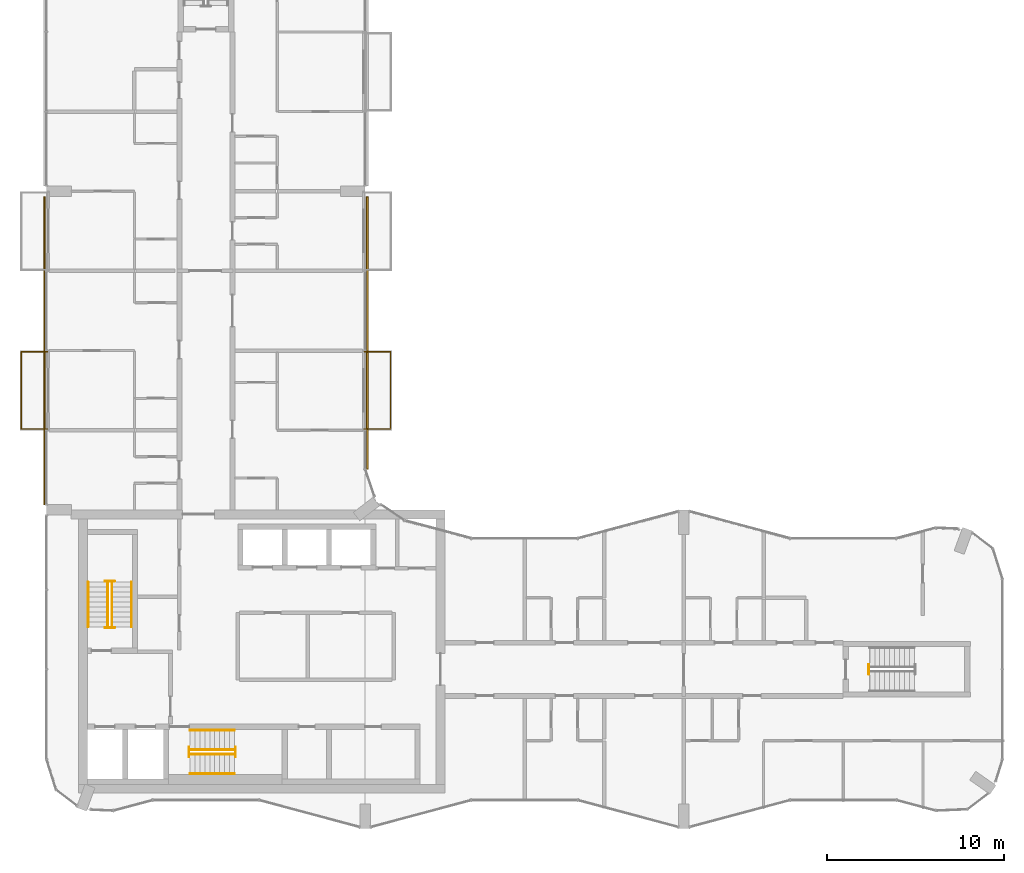
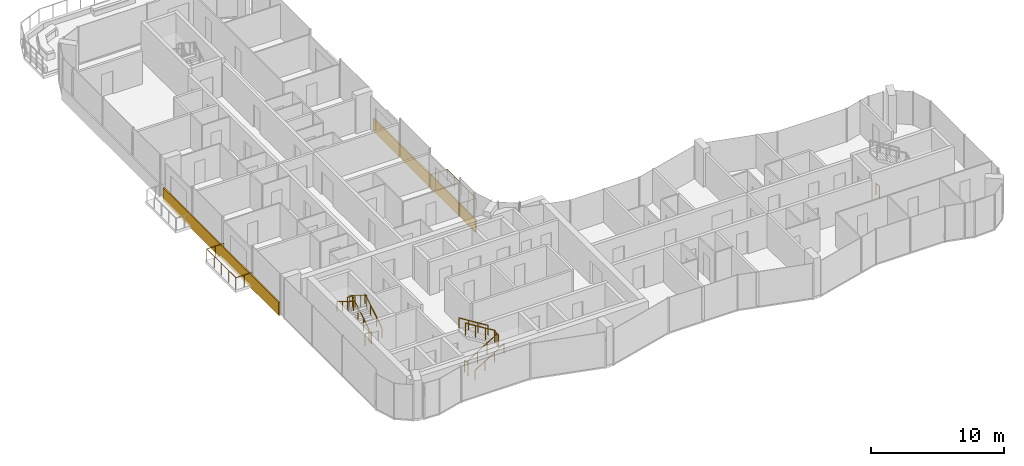
# One storey, part 15 of 17: 15 railings, 2 coverings.
"""IFC4 building model written with IfcOpenShell, lengths in metres."""

from ifc_helpers import new_model, si_unit, direction, frame, origin, origin_2d, place, context, subcontext, project, spatial, rectangle, circle, extrude, material, layer, layer_set, type_object, element, save


model = new_model("IFC4")

# Units and contexts
model_context = context("Model", 3, precision=1e-05, world=origin(), true_north=direction((0.0, 1.0)))
body_context = subcontext(model_context, "Body", "Model", "MODEL_VIEW")
ifc_project = project(units=[si_unit("LENGTHUNIT", "METRE"), si_unit("AREAUNIT", "SQUARE_METRE"), si_unit("VOLUMEUNIT", "CUBIC_METRE"), si_unit("PLANEANGLEUNIT", "RADIAN"), si_unit("MASSUNIT", "GRAM", prefix="KILO")], contexts=[model_context])

# Site, building, storey
site_placement = place(None, origin())
site = spatial("IfcSite", under=ifc_project, at=site_placement, CompositionType="ELEMENT")
building_placement = place(site_placement, origin())
building = spatial("IfcBuilding", under=site, at=building_placement, Name="Plateau Cross Towers", CompositionType="ELEMENT")
storey_placement = place(building_placement, frame((0.0, 0.0, 225.89990234375)))
storey = spatial("IfcBuildingStorey", under=building, at=storey_placement, Name="L59", CompositionType="ELEMENT", Elevation=225.89990234375)

# Railings
ifc_material_1 = material(Name="Stainless steel and toughened glass", Category="steel")
railing_type_1 = type_object("IfcRailingType", Name="Glass balustrade guard 1100", PredefinedType="GUARDRAIL", material=ifc_material_1)
railing_1_placement = place(storey_placement, frame((0.050048828125, 22.570068359375, 0.0)))
element("IfcRailing", 1, at=railing_1_placement, inside=storey, type_object=railing_type_1, Name="Guard guard1", PredefinedType="GUARDRAIL", context=body_context, shape_type="SweptSolid", body=[
    extrude(circle(Radius=0.02392578125, at=origin_2d()), frame((0.0, 0.0, 1.076171875), z_axis=(-1.0, 0.0, 0.0), x_axis=(0.0, -1.0, 0.0)), (0.0, 0.0, 1.0), 1.47998046875),
    extrude(circle(Radius=0.02392578125, at=origin_2d()), frame((-1.47998046875, 0.0, 1.076171875), z_axis=(0.0, 1.0, 0.0), x_axis=(-1.0, 0.0, 0.0)), (0.0, 0.0, 1.0), 4.35986328125),
    extrude(circle(Radius=0.02392578125, at=origin_2d()), frame((-1.47998046875, 4.35986328125, 1.076171875), z_axis=(1.0, 0.0, 0.0), x_axis=(0.0, 1.0, 0.0)), (0.0, 0.0, 1.0), 1.47998046875),
    extrude(circle(Radius=0.02099609375, at=origin_2d()), origin(), (0.0, 0.0, 1.0), 1.052001953125),
    extrude(circle(Radius=0.02099609375, at=origin_2d()), frame((-0.739990234375, 0.0, 0.0)), (0.0, 0.0, 1.0), 1.052001953125),
    extrude(circle(Radius=0.02099609375, at=origin_2d()), frame((-1.47998046875, 0.0, 0.0)), (0.0, 0.0, 1.0), 1.052001953125),
    extrude(circle(Radius=0.02099609375, at=origin_2d()), frame((-1.47998046875, 1.08984375, 0.0)), (0.0, 0.0, 1.0), 1.052001953125),
    extrude(circle(Radius=0.02099609375, at=origin_2d()), frame((-1.47998046875, 2.179931640625, 0.0)), (0.0, 0.0, 1.0), 1.052001953125),
    extrude(circle(Radius=0.02099609375, at=origin_2d()), frame((-1.47998046875, 3.27001953125, 0.0)), (0.0, 0.0, 1.0), 1.052001953125),
    extrude(circle(Radius=0.02099609375, at=origin_2d()), frame((-1.47998046875, 4.35986328125, 0.0)), (0.0, 0.0, 1.0), 1.052001953125),
    extrude(circle(Radius=0.02099609375, at=origin_2d()), frame((-0.739990234375, 4.35986328125, 0.0)), (0.0, 0.0, 1.0), 1.052001953125),
    extrude(circle(Radius=0.02099609375, at=origin_2d()), frame((0.0, 4.35986328125, 0.0)), (0.0, 0.0, 1.0), 1.052001953125),
])
railing_2_placement = place(storey_placement, frame((17.949951171875, 26.929931640625, 0.0)))
element("IfcRailing", 2, at=railing_2_placement, inside=storey, type_object=railing_type_1, Name="Guard guard1", PredefinedType="GUARDRAIL", context=body_context, shape_type="SweptSolid", body=[
    extrude(circle(Radius=0.02392578125, at=origin_2d()), frame((0.0, 0.0, 1.076171875), z_axis=(1.0, 0.0, 0.0), x_axis=(0.0, 1.0, 0.0)), (0.0, 0.0, 1.0), 1.47998046875),
    extrude(circle(Radius=0.02392578125, at=origin_2d()), frame((1.47998046875, 0.0, 1.076171875), z_axis=(0.0, -1.0, 0.0), x_axis=(1.0, 0.0, 0.0)), (0.0, 0.0, 1.0), 4.35986328125),
    extrude(circle(Radius=0.02392578125, at=origin_2d()), frame((1.47998046875, -4.35986328125, 1.076171875), z_axis=(-1.0, 0.0, 0.0), x_axis=(0.0, -1.0, 0.0)), (0.0, 0.0, 1.0), 1.47998046875),
    extrude(circle(Radius=0.02099609375, at=origin_2d()), origin(), (0.0, 0.0, 1.0), 1.052001953125),
    extrude(circle(Radius=0.02099609375, at=origin_2d()), frame((0.739990234375, 0.0, 0.0)), (0.0, 0.0, 1.0), 1.052001953125),
    extrude(circle(Radius=0.02099609375, at=origin_2d()), frame((1.47998046875, 0.0, 0.0)), (0.0, 0.0, 1.0), 1.052001953125),
    extrude(circle(Radius=0.02099609375, at=origin_2d()), frame((1.47998046875, -1.08984375, 0.0)), (0.0, 0.0, 1.0), 1.052001953125),
    extrude(circle(Radius=0.02099609375, at=origin_2d()), frame((1.47998046875, -2.179931640625, 0.0)), (0.0, 0.0, 1.0), 1.052001953125),
    extrude(circle(Radius=0.02099609375, at=origin_2d()), frame((1.47998046875, -3.27001953125, 0.0)), (0.0, 0.0, 1.0), 1.052001953125),
    extrude(circle(Radius=0.02099609375, at=origin_2d()), frame((1.47998046875, -4.35986328125, 0.0)), (0.0, 0.0, 1.0), 1.052001953125),
    extrude(circle(Radius=0.02099609375, at=origin_2d()), frame((0.739990234375, -4.35986328125, 0.0)), (0.0, 0.0, 1.0), 1.052001953125),
    extrude(circle(Radius=0.02099609375, at=origin_2d()), frame((0.0, -4.35986328125, 0.0)), (0.0, 0.0, 1.0), 1.052001953125),
])
railing_type_2 = type_object("IfcRailingType", Name="RL-GUARD-1100", PredefinedType="GUARDRAIL", material=ifc_material_1)
railing_3_placement = place(storey_placement, frame((3.699951171875, 11.39990234375, 0.175048828125)))
element("IfcRailing", 3, at=railing_3_placement, inside=storey, type_object=railing_type_2, Name="L59 ST-1 stair guard 1", PredefinedType="GUARDRAIL", context=body_context, shape_type="SweptSolid", body=[
    extrude(circle(Radius=0.02392578125, at=origin_2d()), frame((0.0, 0.0, 1.076171875), z_axis=(0.0, 0.848007534815, 0.529984170421), x_axis=(-1.0, 0.0, 0.0)), (0.0, 0.0, 1.0), 2.9716796875),
    extrude(circle(Radius=0.02099609375, at=origin_2d()), origin(), (0.0, 0.0, 1.0), 1.052001953125),
    extrude(circle(Radius=0.02099609375, at=origin_2d()), frame((0.0, 0.840087890625, 0.52490234375)), (0.0, 0.0, 1.0), 1.052001953125),
    extrude(circle(Radius=0.02099609375, at=origin_2d()), frame((0.0, 1.679931640625, 1.050048828125)), (0.0, 0.0, 1.0), 1.052001953125),
    extrude(circle(Radius=0.02099609375, at=origin_2d()), frame((0.0, 2.52001953125, 1.574951171875)), (0.0, 0.0, 1.0), 1.052001953125),
])
railing_4_placement = place(storey_placement, frame((3.85009765625, 13.969970703125, 1.75)))
element("IfcRailing", 4, at=railing_4_placement, inside=storey, type_object=railing_type_2, Name="L59 ST-1 stair guard 2", PredefinedType="GUARDRAIL", context=body_context, shape_type="SweptSolid", body=[
    extrude(circle(Radius=0.02392578125, at=origin_2d()), frame((0.0, 0.0, 1.076171875), z_axis=(-1.0, 0.0, 0.0), x_axis=(0.0, -1.0, 0.0)), (0.0, 0.0, 1.0), 0.550048828125),
    extrude(circle(Radius=0.02099609375, at=origin_2d()), origin(), (0.0, 0.0, 1.0), 1.052001953125),
    extrude(circle(Radius=0.02099609375, at=origin_2d()), frame((-0.550048828125, 0.0, 0.0)), (0.0, 0.0, 1.0), 1.052001953125),
])
railing_5_placement = place(storey_placement, frame((3.449951171875, 13.919921875, 1.925048828125)))
element("IfcRailing", 5, at=railing_5_placement, inside=storey, type_object=railing_type_2, Name="L59 ST-1 stair guard 3", PredefinedType="GUARDRAIL", context=body_context, shape_type="SweptSolid", body=[
    extrude(circle(Radius=0.02392578125, at=origin_2d()), frame((0.0, 0.0, 1.076171875), z_axis=(0.0, -0.852616386126, 0.522537365276), x_axis=(1.0, 0.0, 0.0)), (0.0, 0.0, 1.0), 3.01416015625),
    extrude(circle(Radius=0.02099609375, at=origin_2d()), origin(), (0.0, 0.0, 1.0), 1.052001953125),
    extrude(circle(Radius=0.02099609375, at=origin_2d()), frame((0.0, -0.856689453125, 0.52490234375)), (0.0, 0.0, 1.0), 1.052001953125),
    extrude(circle(Radius=0.02099609375, at=origin_2d()), frame((0.0, -1.713134765625, 1.050048828125)), (0.0, 0.0, 1.0), 1.052001953125),
    extrude(circle(Radius=0.02099609375, at=origin_2d()), frame((0.0, -2.56982421875, 1.574951171875)), (0.0, 0.0, 1.0), 1.052001953125),
])
railing_6_placement = place(storey_placement, frame((3.85009765625, 11.35009765625, 0.0)))
element("IfcRailing", 6, at=railing_6_placement, inside=storey, type_object=railing_type_2, Name="L59 ST-1 stair guard 4", PredefinedType="GUARDRAIL", context=body_context, shape_type="SweptSolid", body=[
    extrude(circle(Radius=0.02392578125, at=origin_2d()), frame((0.0, 0.0, 1.076171875), z_axis=(-1.0, 0.0, 0.0), x_axis=(0.0, -1.0, 0.0)), (0.0, 0.0, 1.0), 0.550048828125),
    extrude(circle(Radius=0.02099609375, at=origin_2d()), origin(), (0.0, 0.0, 1.0), 1.052001953125),
    extrude(circle(Radius=0.02099609375, at=origin_2d()), frame((-0.550048828125, 0.0, 0.0)), (0.0, 0.0, 1.0), 1.052001953125),
])
railing_7_placement = place(storey_placement, frame((8.10009765625, 4.199951171875, 0.175048828125)))
element("IfcRailing", 7, at=railing_7_placement, inside=storey, type_object=railing_type_2, Name="L59 ST-2 stair guard 1", PredefinedType="GUARDRAIL", context=body_context, shape_type="SweptSolid", body=[
    extrude(circle(Radius=0.02392578125, at=origin_2d()), frame((0.0, 0.0, 1.076171875), z_axis=(0.848007534815, 0.0, 0.529984170421), x_axis=(0.0, 1.0, 0.0)), (0.0, 0.0, 1.0), 2.9716796875),
    extrude(circle(Radius=0.02099609375, at=origin_2d()), origin(), (0.0, 0.0, 1.0), 1.052001953125),
    extrude(circle(Radius=0.02099609375, at=origin_2d()), frame((0.840087890625, 0.0, 0.52490234375)), (0.0, 0.0, 1.0), 1.052001953125),
    extrude(circle(Radius=0.02099609375, at=origin_2d()), frame((1.679931640625, 0.0, 1.050048828125)), (0.0, 0.0, 1.0), 1.052001953125),
    extrude(circle(Radius=0.02099609375, at=origin_2d()), frame((2.52001953125, 0.0, 1.574951171875)), (0.0, 0.0, 1.0), 1.052001953125),
])
railing_8_placement = place(storey_placement, frame((10.669921875, 4.050048828125, 1.75)))
element("IfcRailing", 8, at=railing_8_placement, inside=storey, type_object=railing_type_2, Name="L59 ST-2 stair guard 2", PredefinedType="GUARDRAIL", context=body_context, shape_type="SweptSolid", body=[
    extrude(circle(Radius=0.02392578125, at=origin_2d()), frame((0.0, 0.0, 1.076171875), z_axis=(0.0, 1.0, 0.0), x_axis=(-1.0, 0.0, 0.0)), (0.0, 0.0, 1.0), 0.550048828125),
    extrude(circle(Radius=0.02099609375, at=origin_2d()), origin(), (0.0, 0.0, 1.0), 1.052001953125),
    extrude(circle(Radius=0.02099609375, at=origin_2d()), frame((0.0, 0.550048828125, 0.0)), (0.0, 0.0, 1.0), 1.052001953125),
])
railing_9_placement = place(storey_placement, frame((10.6201171875, 4.449951171875, 1.925048828125)))
element("IfcRailing", 9, at=railing_9_placement, inside=storey, type_object=railing_type_2, Name="L59 ST-2 stair guard 3", PredefinedType="GUARDRAIL", context=body_context, shape_type="SweptSolid", body=[
    extrude(circle(Radius=0.02392578125, at=origin_2d()), frame((0.0, 0.0, 1.076171875), z_axis=(-0.852638500773, 0.0, 0.522501279423), x_axis=(0.0, -1.0, 0.0)), (0.0, 0.0, 1.0), 3.01416015625),
    extrude(circle(Radius=0.02099609375, at=origin_2d()), origin(), (0.0, 0.0, 1.0), 1.052001953125),
    extrude(circle(Radius=0.02099609375, at=origin_2d()), frame((-0.856689453125, 0.0, 0.52490234375)), (0.0, 0.0, 1.0), 1.052001953125),
    extrude(circle(Radius=0.02099609375, at=origin_2d()), frame((-1.71337890625, 0.0, 1.050048828125)), (0.0, 0.0, 1.0), 1.052001953125),
    extrude(circle(Radius=0.02099609375, at=origin_2d()), frame((-2.570068359375, 0.0, 1.574951171875)), (0.0, 0.0, 1.0), 1.052001953125),
])
railing_10_placement = place(storey_placement, frame((8.050048828125, 4.050048828125, 0.0)))
element("IfcRailing", 10, at=railing_10_placement, inside=storey, type_object=railing_type_2, Name="L59 ST-2 stair guard 4", PredefinedType="GUARDRAIL", context=body_context, shape_type="SweptSolid", body=[
    extrude(circle(Radius=0.02392578125, at=origin_2d()), frame((0.0, 0.0, 1.076171875), z_axis=(0.0, 1.0, 0.0), x_axis=(-1.0, 0.0, 0.0)), (0.0, 0.0, 1.0), 0.550048828125),
    extrude(circle(Radius=0.02099609375, at=origin_2d()), origin(), (0.0, 0.0, 1.0), 1.052001953125),
    extrude(circle(Radius=0.02099609375, at=origin_2d()), frame((0.0, 0.550048828125, 0.0)), (0.0, 0.0, 1.0), 1.052001953125),
])
railing_11_placement = place(storey_placement, frame((46.449951171875, 8.72509765625, 0.0)))
element("IfcRailing", 11, at=railing_11_placement, inside=storey, type_object=railing_type_2, Name="L59 ES-E stair guard 4", PredefinedType="GUARDRAIL", context=body_context, shape_type="SweptSolid", body=[
    extrude(circle(Radius=0.02392578125, at=origin_2d()), frame((0.0, 0.0, 1.076171875), z_axis=(0.0, 1.0, 0.0), x_axis=(-1.0, 0.0, 0.0)), (0.0, 0.0, 1.0), 0.5498046875),
    extrude(circle(Radius=0.02099609375, at=origin_2d()), origin(), (0.0, 0.0, 1.0), 1.052001953125),
    extrude(circle(Radius=0.02099609375, at=origin_2d()), frame((0.0, 0.5498046875, 0.0)), (0.0, 0.0, 1.0), 1.052001953125),
])
ifc_material_2 = material(Name="Black anodised aluminium", Category="aluminium")
railing_type_3 = type_object("IfcRailingType", Name="RL-HANDRAIL-900", PredefinedType="HANDRAIL", material=ifc_material_2)
railing_12_placement = place(storey_placement, frame((4.800048828125, 11.39990234375, 0.175048828125)))
element("IfcRailing", 12, at=railing_12_placement, inside=storey, type_object=railing_type_3, Name="L59 ST-1 stair handrail 1", PredefinedType="HANDRAIL", context=body_context, shape_type="SweptSolid", body=[
    extrude(circle(Radius=0.02392578125, at=origin_2d()), frame((0.0, 0.0, 0.8759765625), z_axis=(0.0, 0.848007534815, 0.529984170421), x_axis=(-1.0, 0.0, 0.0)), (0.0, 0.0, 1.0), 2.9716796875),
    extrude(circle(Radius=0.02099609375, at=origin_2d()), origin(), (0.0, 0.0, 1.0), 0.851806640625),
    extrude(circle(Radius=0.02099609375, at=origin_2d()), frame((0.0, 0.840087890625, 0.52490234375)), (0.0, 0.0, 1.0), 0.851806640625),
    extrude(circle(Radius=0.02099609375, at=origin_2d()), frame((0.0, 1.679931640625, 1.050048828125)), (0.0, 0.0, 1.0), 0.851806640625),
    extrude(circle(Radius=0.02099609375, at=origin_2d()), frame((0.0, 2.52001953125, 1.574951171875)), (0.0, 0.0, 1.0), 0.851806640625),
])
railing_13_placement = place(storey_placement, frame((2.35009765625, 13.919921875, 1.925048828125)))
element("IfcRailing", 13, at=railing_13_placement, inside=storey, type_object=railing_type_3, Name="L59 ST-1 stair handrail 2", PredefinedType="HANDRAIL", context=body_context, shape_type="SweptSolid", body=[
    extrude(circle(Radius=0.02392578125, at=origin_2d()), frame((0.0, 0.0, 0.8759765625), z_axis=(0.0, -0.848007534815, 0.529984170421), x_axis=(1.0, 0.0, 0.0)), (0.0, 0.0, 1.0), 2.9716796875),
    extrude(circle(Radius=0.02099609375, at=origin_2d()), origin(), (0.0, 0.0, 1.0), 0.851806640625),
    extrude(circle(Radius=0.02099609375, at=origin_2d()), frame((0.0, -0.840087890625, 0.52490234375)), (0.0, 0.0, 1.0), 0.851806640625),
    extrude(circle(Radius=0.02099609375, at=origin_2d()), frame((0.0, -1.679931640625, 1.050048828125)), (0.0, 0.0, 1.0), 0.851806640625),
    extrude(circle(Radius=0.02099609375, at=origin_2d()), frame((0.0, -2.52001953125, 1.574951171875)), (0.0, 0.0, 1.0), 0.851806640625),
])
railing_14_placement = place(storey_placement, frame((8.10009765625, 3.10009765625, 0.175048828125)))
element("IfcRailing", 14, at=railing_14_placement, inside=storey, type_object=railing_type_3, Name="L59 ST-2 stair handrail 1", PredefinedType="HANDRAIL", context=body_context, shape_type="SweptSolid", body=[
    extrude(circle(Radius=0.02392578125, at=origin_2d()), frame((0.0, 0.0, 0.8759765625), z_axis=(0.848007534815, 0.0, 0.529984170421), x_axis=(0.0, 1.0, 0.0)), (0.0, 0.0, 1.0), 2.9716796875),
    extrude(circle(Radius=0.02099609375, at=origin_2d()), origin(), (0.0, 0.0, 1.0), 0.851806640625),
    extrude(circle(Radius=0.02099609375, at=origin_2d()), frame((0.840087890625, 0.0, 0.52490234375)), (0.0, 0.0, 1.0), 0.851806640625),
    extrude(circle(Radius=0.02099609375, at=origin_2d()), frame((1.679931640625, 0.0, 1.050048828125)), (0.0, 0.0, 1.0), 0.851806640625),
    extrude(circle(Radius=0.02099609375, at=origin_2d()), frame((2.52001953125, 0.0, 1.574951171875)), (0.0, 0.0, 1.0), 0.851806640625),
])
railing_15_placement = place(storey_placement, frame((10.6201171875, 5.550048828125, 1.925048828125)))
element("IfcRailing", 15, at=railing_15_placement, inside=storey, type_object=railing_type_3, Name="L59 ST-2 stair handrail 2", PredefinedType="HANDRAIL", context=body_context, shape_type="SweptSolid", body=[
    extrude(circle(Radius=0.02392578125, at=origin_2d()), frame((0.0, 0.0, 0.8759765625), z_axis=(-0.848007534815, 0.0, 0.529984170421), x_axis=(0.0, -1.0, 0.0)), (0.0, 0.0, 1.0), 2.9716796875),
    extrude(circle(Radius=0.02099609375, at=origin_2d()), origin(), (0.0, 0.0, 1.0), 0.851806640625),
    extrude(circle(Radius=0.02099609375, at=origin_2d()), frame((-0.840087890625, 0.0, 0.52490234375)), (0.0, 0.0, 1.0), 0.851806640625),
    extrude(circle(Radius=0.02099609375, at=origin_2d()), frame((-1.679931640625, 0.0, 1.050048828125)), (0.0, 0.0, 1.0), 0.851806640625),
    extrude(circle(Radius=0.02099609375, at=origin_2d()), frame((-2.52001953125, 0.0, 1.574951171875)), (0.0, 0.0, 1.0), 0.851806640625),
])

# Coverings
ifc_material_3 = material(Name="Precast concrete cladding C40/50", Category="concrete")
ifc_layer = layer(ifc_material_3, 0.10009765625)
ifc_layer_set = layer_set([ifc_layer], Name="Precast concrete cladding C40/50")
covering_type = type_object("IfcCoveringType", Name="Spandrel band cladding 100x1200", PredefinedType="CLADDING", material=ifc_layer_set)
covering_1_placement = place(storey_placement, frame((18.1201171875, 28.001220703125, -0.25), z_axis=(0.0, 0.0, 1.0), x_axis=(0.0, 1.0, 0.0)))
element("IfcCovering", 16, at=covering_1_placement, inside=storey, type_object=covering_type, Name="Spandrel band", PredefinedType="CLADDING", context=body_context, shape_type="SweptSolid", body=[
    extrude(rectangle(XDim=15.397705078125, YDim=0.10009765625, at=origin_2d()), origin(), (0.0, 0.0, 1.0), 1.199951171875),
])
covering_2_placement = place(storey_placement, frame((-0.1201171875, 27.0, -0.25), z_axis=(0.0, 0.0, 1.0), x_axis=(0.0, -1.0, 0.0)))
element("IfcCovering", 17, at=covering_2_placement, inside=storey, type_object=covering_type, Name="Spandrel band", PredefinedType="CLADDING", context=body_context, shape_type="SweptSolid", body=[
    extrude(rectangle(XDim=17.39990234375, YDim=0.10009765625, at=origin_2d()), origin(), (0.0, 0.0, 1.0), 1.199951171875),
])

save(model, "model.ifc")
